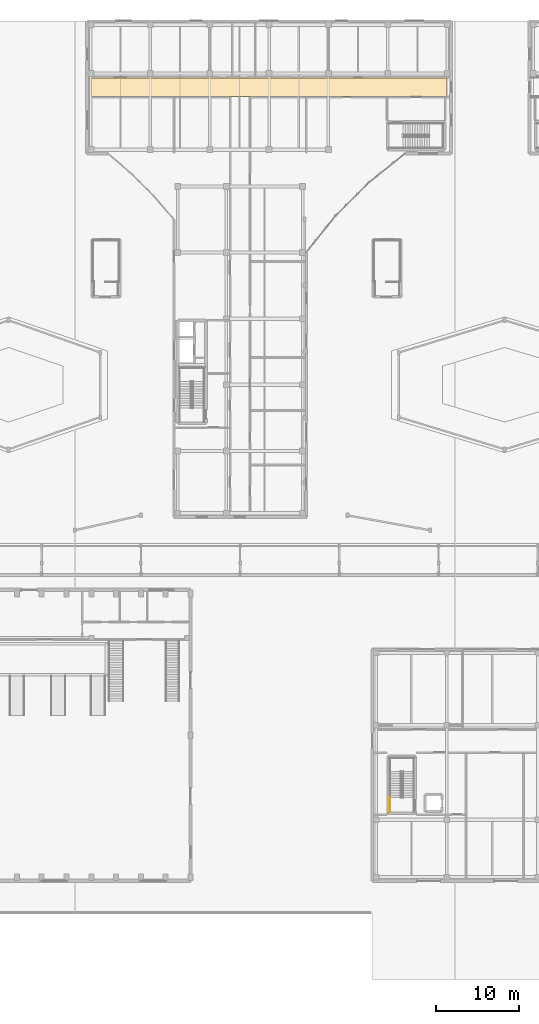
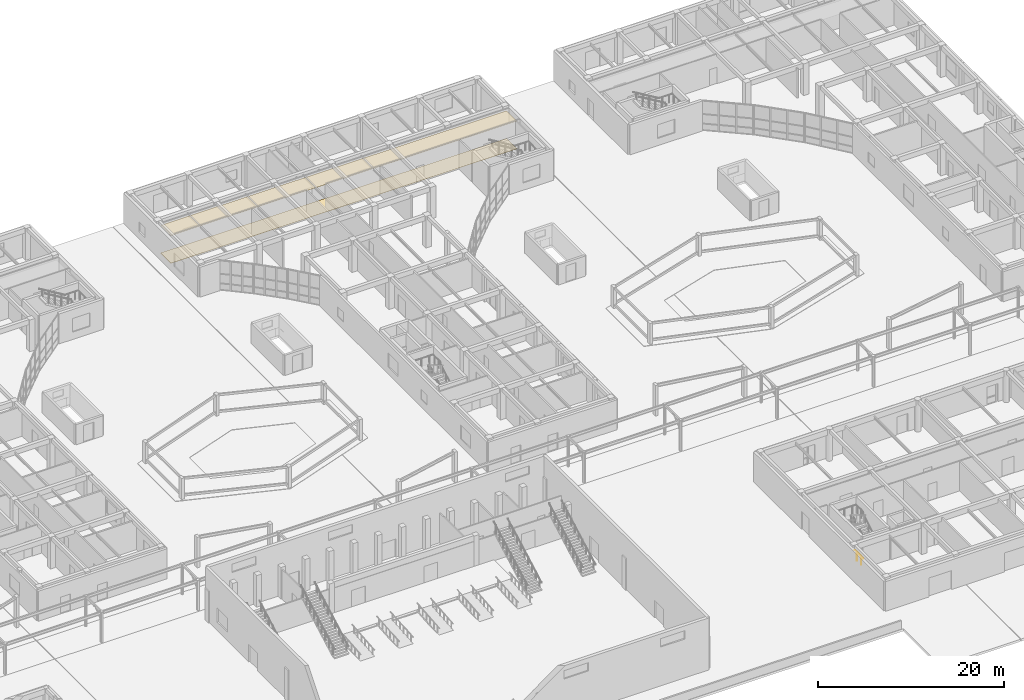
# One storey, part 105 of 114: 2 coverings, 1 railing.
"""IFC4 building model written with IfcOpenShell, lengths in metres."""

from ifc_helpers import new_model, si_unit, direction, frame, origin, origin_2d, place, context, subcontext, project, spatial, polyline, circle, outline, extrude, material, layer, layer_set, type_object, element, save


model = new_model("IFC4")

# Units and contexts
model_context = context("Model", 3, precision=1e-05, world=origin(), true_north=direction((0.0, 1.0)))
body_context = subcontext(model_context, "Body", "Model", "MODEL_VIEW")
ifc_project = project(units=[si_unit("LENGTHUNIT", "METRE"), si_unit("AREAUNIT", "SQUARE_METRE"), si_unit("VOLUMEUNIT", "CUBIC_METRE"), si_unit("PLANEANGLEUNIT", "RADIAN"), si_unit("MASSUNIT", "GRAM", prefix="KILO")], contexts=[model_context])

# Site, building, storey
site_placement = place(None, origin())
site = spatial("IfcSite", under=ifc_project, at=site_placement, CompositionType="ELEMENT")
building_placement = place(site_placement, origin())
building = spatial("IfcBuilding", under=site, at=building_placement, Name="Keldmere Railside Commons", CompositionType="ELEMENT")
storey_placement = place(building_placement, origin())
storey = spatial("IfcBuildingStorey", under=building, at=storey_placement, Name="L00", CompositionType="ELEMENT", Elevation=0.0)

# Covering
ifc_material_1 = material(Name="Polished Terrazzo Tile Flooring", Category="concrete")
ifc_layer_1 = layer(ifc_material_1, 0.030029296875, Name="Polished Terrazzo Floor Finish 30")
ifc_layer_set_1 = layer_set([ifc_layer_1], Name="Polished Terrazzo Tile Flooring")
covering_type_1 = type_object("IfcCoveringType", Name="Polished Terrazzo Floor Finish 30", PredefinedType="FLOORING", material=ifc_layer_set_1)
covering_1_placement = place(storey_placement, origin())
element("IfcCovering", 1, at=covering_1_placement, inside=storey, type_object=covering_type_1, Name="FLR-1 Corridor Terrazzo B-L00", PredefinedType="FLOORING", context=body_context, shape_type="SweptSolid", body=[
    extrude(outline(polyline([(93.97998046875, 106.8798828125), (137.02001953125, 106.8798828125), (137.02001953125, 109.1201171875), (93.97998046875, 109.1201171875), (93.97998046875, 106.8798828125)])), origin(), (0.0, 0.0, 1.0), 0.030029296875),
])

# Railing
ifc_material_2 = material(Name="Steel F-24 (S235)", Category="steel")
railing_type = type_object("IfcRailingType", Name="Stair Well Steel Guardrail 1100", PredefinedType="BALUSTRADE", material=ifc_material_2)
railing_placement = place(storey_placement, frame((130.110107421875, 20.300048828125, 0.0)))
element("IfcRailing", 2, at=railing_placement, inside=storey, type_object=railing_type, Name="L00 ST-M1 stair guard 9", PredefinedType="BALUSTRADE", context=body_context, shape_type="SweptSolid", body=[
    extrude(circle(Radius=0.02392578125, at=origin_2d()), frame((0.0, 0.0, 1.076171875), z_axis=(0.0, 1.0, 0.0), x_axis=(-1.0, 0.0, 0.0)), (0.0, 0.0, 1.0), 1.75),
    extrude(circle(Radius=0.02099609375, at=origin_2d()), frame((0.0, 0.4375, 0.0)), (0.0, 0.0, 1.0), 1.048095703125),
    extrude(circle(Radius=0.02099609375, at=origin_2d()), frame((0.0, 1.3125, 0.0)), (0.0, 0.0, 1.0), 1.048095703125),
])

# Covering
ifc_material_3 = material(Name="Acoustic Mineral-Fibre Gypsum Ceiling", Category="gypsum")
ifc_layer_2 = layer(ifc_material_3, 0.02490234375, Name="Suspended Acoustic Ceiling 25")
ifc_layer_set_2 = layer_set([ifc_layer_2], Name="Acoustic Mineral-Fibre Gypsum Ceiling")
covering_type_2 = type_object("IfcCoveringType", Name="Suspended Acoustic Ceiling 25", PredefinedType="CEILING", material=ifc_layer_set_2)
covering_2_placement = place(storey_placement, frame((0.0, 0.0, 3.635009765625)))
element("IfcCovering", 3, at=covering_2_placement, inside=storey, type_object=covering_type_2, Name="CLG-1 Corridor Ceiling B-L00", PredefinedType="CEILING", context=body_context, shape_type="SweptSolid", body=[
    extrude(outline(polyline([(93.97998046875, 106.8798828125), (137.02001953125, 106.8798828125), (137.02001953125, 109.1201171875), (93.97998046875, 109.1201171875), (93.97998046875, 106.8798828125)])), origin(), (0.0, 0.0, 1.0), 0.02490234375),
])

save(model, "model.ifc")
